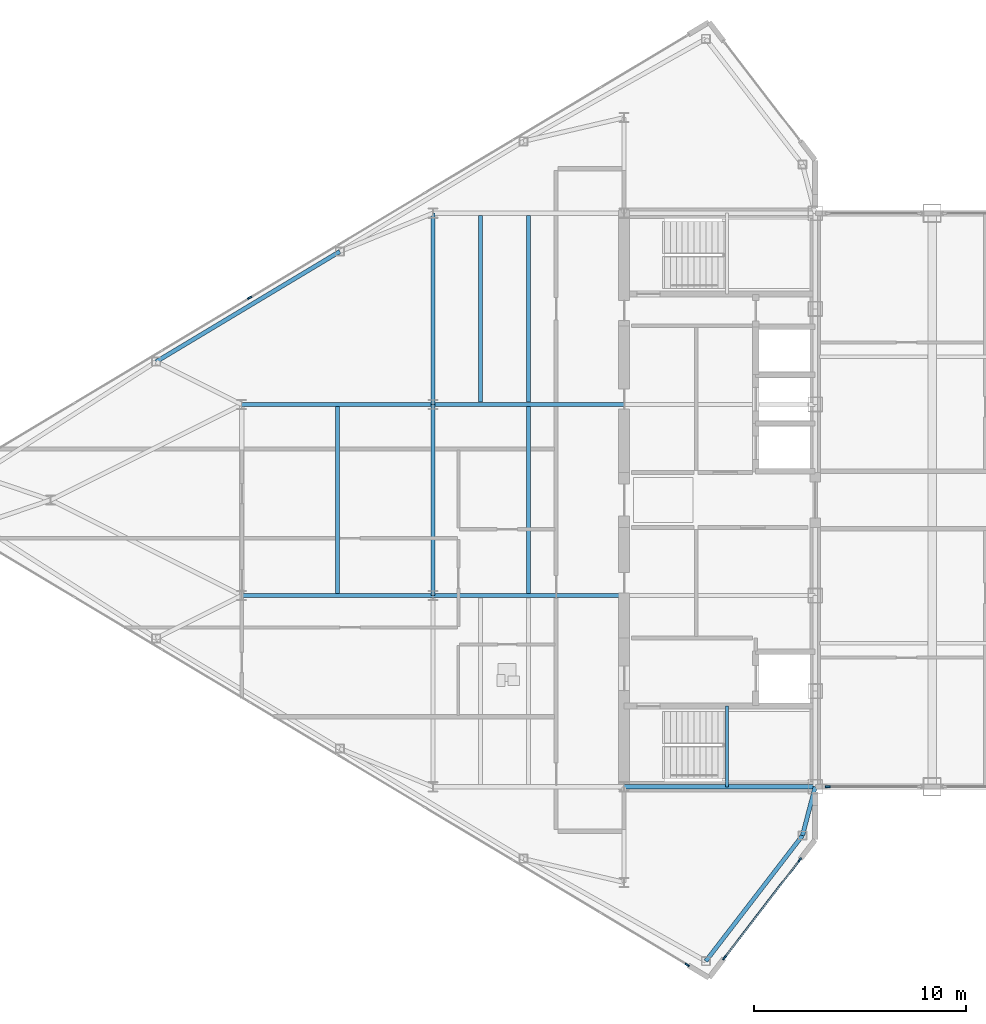
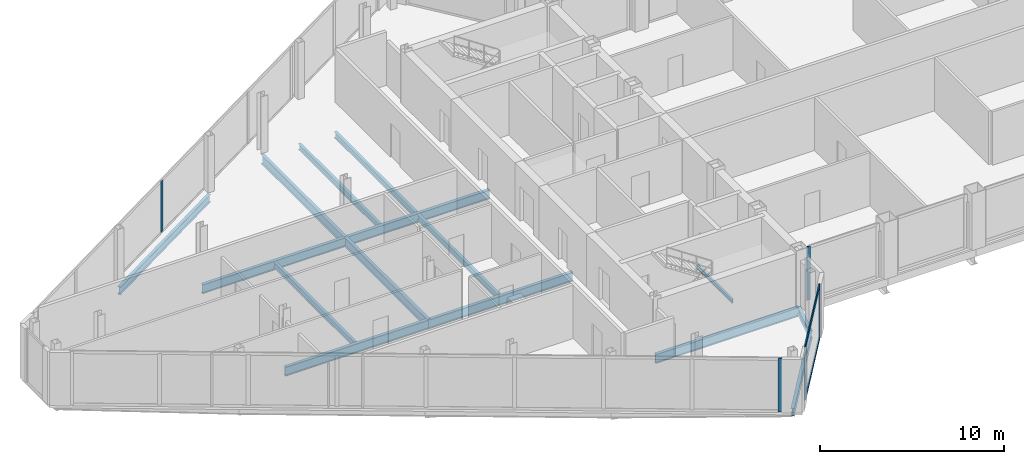
# One storey, part 9 of 29: 15 beams, 7 members, 4 elements without a shape of their own.
"""IFC4 building model written with IfcOpenShell, lengths in metres."""

from ifc_helpers import new_model, si_unit, direction, frame, origin, origin_2d, place, context, subcontext, project, spatial, rectangle, i_section, extrude, source, transform, mapped, material, layer, layer_set, material_profile, profile_set, type_object, type_shapes, element, aggregate, save


model = new_model("IFC4")

# Units and contexts
model_context = context("Model", 3, precision=1e-05, world=origin(), true_north=direction((0.0, 1.0)))
body_context = subcontext(model_context, "Body", "Model", "MODEL_VIEW")
ifc_project = project(units=[si_unit("LENGTHUNIT", "METRE"), si_unit("AREAUNIT", "SQUARE_METRE"), si_unit("VOLUMEUNIT", "CUBIC_METRE"), si_unit("PLANEANGLEUNIT", "RADIAN"), si_unit("MASSUNIT", "GRAM", prefix="KILO")], contexts=[model_context])

# Site, building, storey
site_placement = place(None, origin())
site = spatial("IfcSite", under=ifc_project, at=site_placement, CompositionType="ELEMENT")
building_placement = place(site_placement, origin())
building = spatial("IfcBuilding", under=site, at=building_placement, Name="Seokmaru Belvedere", CompositionType="ELEMENT")
storey_placement = place(building_placement, frame((0.0, 0.0, 246.89990234375)))
storey = spatial("IfcBuildingStorey", under=building, at=storey_placement, Name="L65", CompositionType="ELEMENT", Elevation=246.89990234375)

# Beams
ifc_material_1 = material(Name="Steel SM355 (355 MPa)", Category="steel")
ifc_material_profile_1 = material_profile(ifc_material_1, i_section(OverallWidth=0.199951171875, OverallDepth=0.60009765625, WebThickness=0.010986328125, FlangeThickness=0.01708984375, at=origin_2d()), Name="H-600x200x11x17")
ifc_profile_set_1 = profile_set([ifc_material_profile_1], Name="Steel SM355 (355 MPa)")
beam_type_1 = type_object("IfcBeamType", Name="Primary Floor Girder H-600", PredefinedType="BEAM", material=ifc_profile_set_1)
shared_shape_1 = source(origin(), body_context, "Body", "SweptSolid", [
    extrude(i_section(OverallWidth=0.199951171875, OverallDepth=0.60009765625, WebThickness=0.010986328125, FlangeThickness=0.01708984375, at=origin_2d()), origin(), (0.0, 0.0, 1.0), 9.0),
])
type_shapes(beam_type_1, [shared_shape_1])
for number, where, z_axis, x_axis, name in (
    (1, (-45.5, -4.5, -0.52001953125), (0.0, 1.0, 0.0), (-1.0, 0.0, 0.0), "L65 W Interior Grid Girder 2"),
    (2, (-45.5, 4.5, -0.52001953125), (0.0, 1.0, 0.0), (-1.0, 0.0, 0.0), "L65 W Interior Grid Girder 3"),
    (3, (-36.5, -13.5, -0.52001953125), (1.0, 0.0, 0.0), (0.0, 1.0, 0.0), "L65 W Core Tie Girder 1"),
    (4, (-45.5, -4.5, -0.52001953125), (1.0, 0.0, 0.0), (0.0, 1.0, 0.0), "L65 W Wing Primary Girder 2"),
    (5, (-45.5, 4.5, -0.52001953125), (1.0, 0.0, 0.0), (0.0, 1.0, 0.0), "L65 W Wing Primary Girder 3"),
    (6, (-54.5, -4.5, -0.52001953125), (1.0, 0.0, 0.0), (0.0, 1.0, 0.0), "L65 W Outer Wing Girder 1"),
    (7, (-54.5, 4.5, -0.52001953125), (1.0, 0.0, 0.0), (0.0, 1.0, 0.0), "L65 W Outer Wing Girder 2"),
):
    element("IfcBeam", number, at=place(storey_placement, frame(where, z_axis=z_axis, x_axis=x_axis)), inside=storey, type_object=beam_type_1, Name=name, PredefinedType="BEAM", context=body_context, shape_type="MappedRepresentation", body=[
        mapped(shared_shape_1, transform((0.0, 0.0, 0.0), scale=1.0)),
    ])
ifc_material_profile_2 = material_profile(ifc_material_1, i_section(OverallWidth=0.18505859375, OverallDepth=0.389892578125, WebThickness=0.008056640625, FlangeThickness=0.011962890625, at=origin_2d()), Name="H-390x185x8x12")
ifc_profile_set_2 = profile_set([ifc_material_profile_2], Name="Steel SM355 (355 MPa)")
beam_type_2 = type_object("IfcBeamType", Name="Secondary Floor Joist H-350", PredefinedType="JOIST", material=ifc_profile_set_2)
shared_shape_2 = source(origin(), body_context, "Body", "SweptSolid", [
    extrude(i_section(OverallWidth=0.18505859375, OverallDepth=0.389892578125, WebThickness=0.008056640625, FlangeThickness=0.011962890625, at=origin_2d()), origin(), (0.0, 0.0, 1.0), 8.7900390625),
])
type_shapes(beam_type_2, [shared_shape_2])
for number, where, z_axis, x_axis, name in (
    (8, (-43.25, 4.60498046875, -0.414794921875), (0.0, 1.0, 0.0), (-1.0, 0.0, 0.0), "L65 W Wing Inner Secondary Joist 2"),
    (9, (-41.0, -4.39501953125, -0.414794921875), (0.0, 1.0, 0.0), (-1.0, 0.0, 0.0), "L65 W Secondary Floor Joist 2"),
    (10, (-41.0, 4.60498046875, -0.414794921875), (0.0, 1.0, 0.0), (-1.0, 0.0, 0.0), "L65 W Secondary Floor Joist 3"),
    (11, (-50.0, -4.39501953125, -0.414794921875), (0.0, 1.0, 0.0), (-1.0, 0.0, 0.0), "L65 W Outer Bay Secondary Joist"),
):
    element("IfcBeam", number, at=place(storey_placement, frame(where, z_axis=z_axis, x_axis=x_axis)), inside=storey, type_object=beam_type_2, Name=name, PredefinedType="JOIST", context=body_context, shape_type="MappedRepresentation", body=[
        mapped(shared_shape_2, transform((0.0, 0.0, 0.0), scale=1.0)),
    ])
ifc_material_profile_3 = material_profile(ifc_material_1, i_section(OverallWidth=0.199951171875, OverallDepth=0.5, WebThickness=0.010009765625, FlangeThickness=0.01611328125, at=origin_2d()), Name="H-500x200x10x16")
ifc_profile_set_3 = profile_set([ifc_material_profile_3], Name="Steel SM355 (355 MPa)")
beam_type_3 = type_object("IfcBeamType", Name="Perimeter Spandrel Beam H-500", PredefinedType="SPANDREL", material=ifc_profile_set_3)
shared_shape_3 = source(origin(), body_context, "Body", "SweptSolid", [
    extrude(i_section(OverallWidth=0.199951171875, OverallDepth=0.5, WebThickness=0.010009765625, FlangeThickness=0.01611328125, at=origin_2d()), origin(), (0.0, 0.0, 1.0), 10.087646484375),
])
beam_1_placement = place(storey_placement, frame((-49.8798828125, 11.698974609375, -0.469970703125), z_axis=(-0.857488654804, -0.514502873542, 0.0), x_axis=(0.514502873542, -0.857488654804, 0.0)))
element("IfcBeam", 12, at=beam_1_placement, inside=storey, type_object=beam_type_3, Name="L65 W Faceted Flank Spandrel N-3", PredefinedType="SPANDREL", context=body_context, shape_type="MappedRepresentation", body=[
    mapped(shared_shape_3, transform((0.0, 0.0, 0.0), scale=1.0)),
])
shared_shape_4 = source(origin(), body_context, "Body", "SweptSolid", [
    extrude(i_section(OverallWidth=0.199951171875, OverallDepth=0.5, WebThickness=0.010009765625, FlangeThickness=0.01611328125, at=origin_2d()), origin(), (0.0, 0.0, 1.0), 7.4619140625),
])
beam_2_placement = place(storey_placement, frame((-32.649658203125, -21.71044921875, -0.469970703125), z_axis=(0.609702854945, 0.792630070507, 0.0), x_axis=(-0.792630070507, 0.609702854945, 0.0)))
element("IfcBeam", 13, at=beam_2_placement, inside=storey, type_object=beam_type_3, Name="L65 W Shoulder Chamfer Spandrel S", PredefinedType="SPANDREL", context=body_context, shape_type="MappedRepresentation", body=[
    mapped(shared_shape_4, transform((0.0, 0.0, 0.0), scale=1.0)),
])
shared_shape_5 = source(origin(), body_context, "Body", "SweptSolid", [
    extrude(i_section(OverallWidth=0.199951171875, OverallDepth=0.5, WebThickness=0.010009765625, FlangeThickness=0.01611328125, at=origin_2d()), origin(), (0.0, 0.0, 1.0), 2.373046875),
])
type_shapes(beam_type_3, [shared_shape_3, shared_shape_4, shared_shape_5])
beam_3_placement = place(storey_placement, frame((-28.10009765625, -15.7958984375, -0.469970703125), z_axis=(0.252882558842, 0.967496982648, 0.0), x_axis=(-0.967496982648, 0.252882558842, 0.0)))
element("IfcBeam", 14, at=beam_3_placement, inside=storey, type_object=beam_type_3, Name="L65 W Shoulder Spine Spandrel S", PredefinedType="SPANDREL", context=body_context, shape_type="MappedRepresentation", body=[
    mapped(shared_shape_5, transform((0.0, 0.0, 0.0), scale=1.0)),
])

# Curtain wall, members
ifc_material_2 = material(Name="Bronze Triple Insulating Glass", Category="glass")
ifc_layer = layer(ifc_material_2, 0.219970703125)
ifc_layer_set = layer_set([ifc_layer], Name="Bronze Triple Insulating Glass")
curtain_wall_type = type_object("IfcCurtainWallType", Name="Sky-Gate Bridge Panorama Curtain Wall System CW-6", PredefinedType="NOTDEFINED", material=ifc_layer_set)
curtain_wall_1_placement = place(storey_placement, origin())
curtain_wall_1 = element("IfcCurtainWall", 15, at=curtain_wall_1_placement, inside=storey, type_object=curtain_wall_type, Name="L65 Curtain Wall WF6", PredefinedType="NOTDEFINED")
ifc_material_3 = material(Name="Anodised Bronze Aluminium", Category="aluminium")
ifc_material_profile_4 = material_profile(ifc_material_3, rectangle(XDim=0.074951171875, YDim=0.179931640625, at=origin_2d()), Name="CW-T-75x180")
ifc_profile_set_4 = profile_set([ifc_material_profile_4], Name="Anodised Bronze Aluminium")
member_type_1 = type_object("IfcMemberType", Name="Bronze Unitised Transom 75x180", PredefinedType="USERDEFINED", material=ifc_profile_set_4)
shared_shape_6 = source(origin(), body_context, "Body", "SweptSolid", [
    extrude(rectangle(XDim=0.074951171875, YDim=0.179931640625, at=origin_2d()), origin(), (0.0, 0.0, 1.0), 5.74072265625),
])
type_shapes(member_type_1, [shared_shape_6])
member_1_placement = place(storey_placement, frame((-31.75, -21.525146484375, 0.03759765625), z_axis=(0.609686097287, 0.792642960465, 0.0), x_axis=(-0.792642960465, 0.609686097287, 0.0)))
member_1 = element("IfcMember", 16, at=member_1_placement, type_object=member_type_1, Name="CW:L65:WF6 Continuous Transom 1", ObjectType="TRANSOM", PredefinedType="USERDEFINED", context=body_context, shape_type="MappedRepresentation", body=[
    mapped(shared_shape_6, transform((0.0, 0.0, 0.0), scale=1.0)),
])
member_2_placement = place(storey_placement, frame((-31.75, -21.525146484375, 3.49267578125), z_axis=(0.609686097287, 0.792642960465, 0.0), x_axis=(-0.792642960465, 0.609686097287, 0.0)))
member_2 = element("IfcMember", 17, at=member_2_placement, type_object=member_type_1, Name="CW:L65:WF6 Continuous Transom 2", ObjectType="TRANSOM", PredefinedType="USERDEFINED", context=body_context, shape_type="MappedRepresentation", body=[
    mapped(shared_shape_6, transform((0.0, 0.0, 0.0), scale=1.0)),
])

# Curtain wall, member
curtain_wall_2_placement = place(storey_placement, origin())
curtain_wall_2 = element("IfcCurtainWall", 18, at=curtain_wall_2_placement, inside=storey, type_object=curtain_wall_type, Name="L65 Curtain Wall WF5", PredefinedType="NOTDEFINED")
ifc_material_profile_5 = material_profile(ifc_material_3, rectangle(XDim=0.080078125, YDim=0.219970703125, at=origin_2d()), Name="CW-M-80x220")
ifc_profile_set_5 = profile_set([ifc_material_profile_5], Name="Anodised Bronze Aluminium")
member_type_2 = type_object("IfcMemberType", Name="Bronze Unitised Mullion 80x220", PredefinedType="MULLION", material=ifc_profile_set_5)
shared_shape_7 = source(origin(), body_context, "Body", "SweptSolid", [
    extrude(rectangle(XDim=0.080078125, YDim=0.219970703125, at=origin_2d()), origin(), (0.0, 0.0, 1.0), 3.530029296875),
])
member_3_placement = place(storey_placement, frame((-33.5205078125, -21.8876953125, 0.0), z_axis=(0.0, 0.0, 1.0), x_axis=(0.514494909364, 0.85749343335, 0.0)))
member_3 = element("IfcMember", 19, at=member_3_placement, type_object=member_type_2, Name="CW:L65:WF5 Mullion 9", PredefinedType="MULLION", context=body_context, shape_type="MappedRepresentation", body=[
    mapped(shared_shape_7, transform((0.0, 0.0, 0.0), scale=1.0)),
])
aggregate(curtain_wall_2, [member_3])

# Member
member_4_placement = place(storey_placement, frame((-31.7744140625, -21.556884765625, 0.0), z_axis=(0.0, 0.0, 1.0), x_axis=(-0.792631353244, 0.609701187349, 0.0)))
member_4 = element("IfcMember", 20, at=member_4_placement, type_object=member_type_2, Name="CW:L65:WF6 Mullion 1", PredefinedType="MULLION", context=body_context, shape_type="MappedRepresentation", body=[
    mapped(shared_shape_7, transform((0.0, 0.0, 0.0), scale=1.0)),
])

member_5_placement = place(storey_placement, frame((-28.2255859375, -16.943115234375, 0.0), z_axis=(0.0, 0.0, 1.0), x_axis=(-0.792631353244, 0.609701187349, 0.0)))
member_5 = element("IfcMember", 21, at=member_5_placement, type_object=member_type_2, Name="CW:L65:WF6 Mullion 2", PredefinedType="MULLION", context=body_context, shape_type="MappedRepresentation", body=[
    mapped(shared_shape_7, transform((0.0, 0.0, 0.0), scale=1.0)),
])

aggregate(curtain_wall_1, [member_4, member_5, member_1, member_2])

# Curtain wall, member
curtain_wall_3_placement = place(storey_placement, origin())
curtain_wall_3 = element("IfcCurtainWall", 22, at=curtain_wall_3_placement, inside=storey, type_object=curtain_wall_type, Name="L65 Curtain Wall BR_S01", PredefinedType="NOTDEFINED")
member_6_placement = place(storey_placement, frame((-26.909912109375, -13.5, 0.0), z_axis=(0.0, 0.0, 1.0), x_axis=(0.0, 1.0, 0.0)))
member_6 = element("IfcMember", 23, at=member_6_placement, type_object=member_type_2, Name="CW:L65:BR_S01 Mullion 1", PredefinedType="MULLION", context=body_context, shape_type="MappedRepresentation", body=[
    mapped(shared_shape_7, transform((0.0, 0.0, 0.0), scale=1.0)),
])
aggregate(curtain_wall_3, [member_6])

curtain_wall_4_placement = place(storey_placement, origin())
curtain_wall_4 = element("IfcCurtainWall", 24, at=curtain_wall_4_placement, inside=storey, type_object=curtain_wall_type, Name="L65 Curtain Wall WF3", PredefinedType="NOTDEFINED")
shared_shape_8 = source(origin(), body_context, "Body", "SweptSolid", [
    extrude(rectangle(XDim=0.080078125, YDim=0.219970703125, at=origin_2d()), origin(), (0.0, 0.0, 1.0), 3.3798828125),
])
type_shapes(member_type_2, [shared_shape_7, shared_shape_8])
member_7_placement = place(storey_placement, frame((-54.12841796875, 9.52294921875, 0.0751953125), z_axis=(0.0, 0.0, 1.0), x_axis=(0.514494909364, -0.85749343335, 0.0)))
member_7 = element("IfcMember", 25, at=member_7_placement, type_object=member_type_2, Name="CW:L65:WF3 Mullion 6", PredefinedType="MULLION", context=body_context, shape_type="MappedRepresentation", body=[
    mapped(shared_shape_8, transform((0.0, 0.0, 0.0), scale=1.0)),
])
aggregate(curtain_wall_4, [member_7])

# Beam
ifc_material_profile_6 = material_profile(ifc_material_1, i_section(OverallWidth=0.125, OverallDepth=0.25, WebThickness=0.006103515625, FlangeThickness=0.009033203125, at=origin_2d()), Name="H-250x125x6x9")
ifc_profile_set_6 = profile_set([ifc_material_profile_6], Name="Steel SM355 (355 MPa)")
beam_type_4 = type_object("IfcBeamType", Name="Stair Mid-Landing Support Beam H-250", PredefinedType="JOIST", material=ifc_profile_set_6)
shared_shape_9 = source(origin(), body_context, "Body", "SweptSolid", [
    extrude(i_section(OverallWidth=0.125, OverallDepth=0.25, WebThickness=0.006103515625, FlangeThickness=0.009033203125, at=origin_2d()), origin(), (0.0, 0.0, 1.0), 3.800048828125),
])
type_shapes(beam_type_4, [shared_shape_9])
beam_4_placement = place(storey_placement, frame((-31.64990234375, -13.5, 1.550048828125), z_axis=(0.0, 1.0, 0.0), x_axis=(-1.0, 0.0, 0.0)))
element("IfcBeam", 26, at=beam_4_placement, inside=storey, type_object=beam_type_4, Name="L65 Stair ST-W1 Mid-Landing Support Beam 1", PredefinedType="JOIST", context=body_context, shape_type="MappedRepresentation", body=[
    mapped(shared_shape_9, transform((0.0, 0.0, 0.0), scale=1.0)),
])

save(model, "model.ifc")
